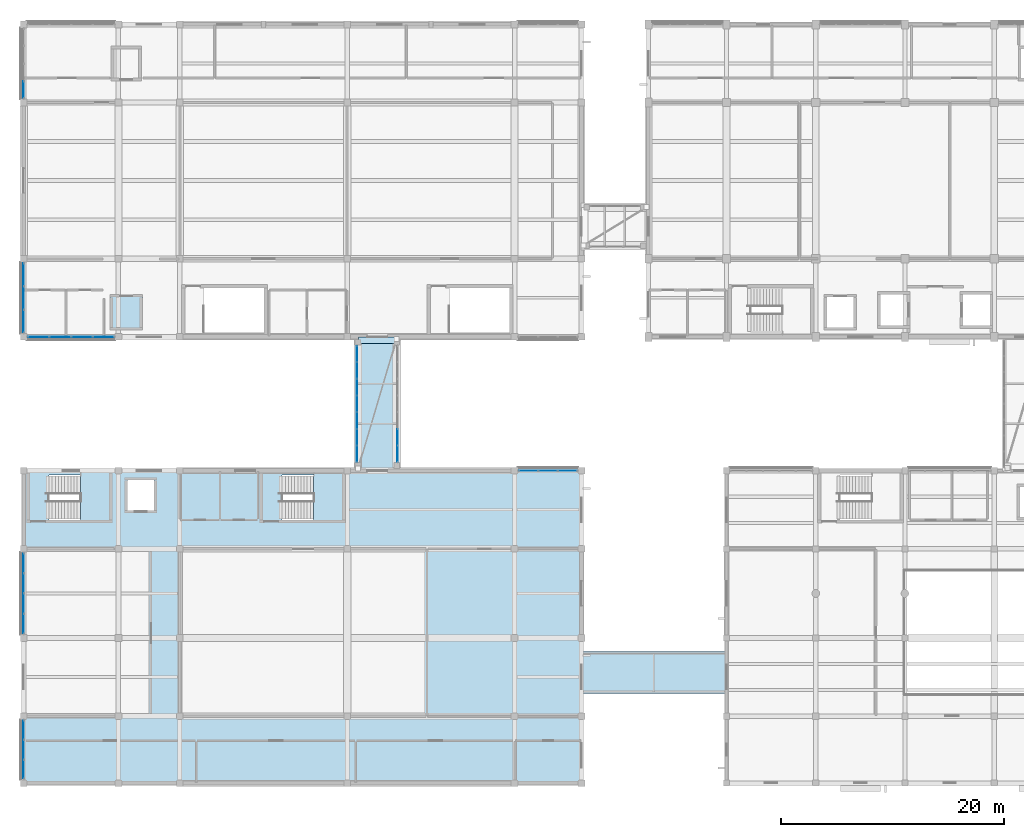
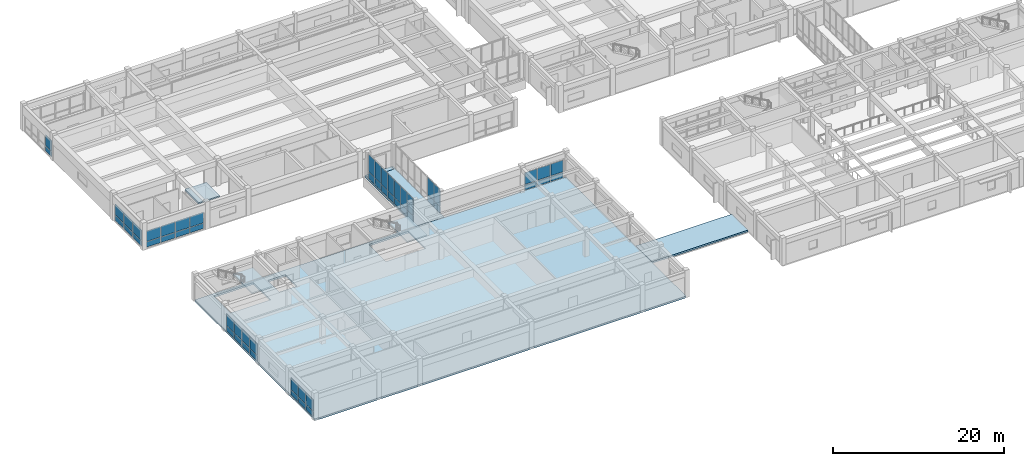
# One storey, part 36 of 66: 55 plates, 6 slabs, 10 elements without a shape of their own.
"""IFC4 building model written with IfcOpenShell, lengths in metres."""

from ifc_helpers import new_model, si_unit, direction, frame, origin, origin_2d, place, context, subcontext, project, spatial, polyline, rectangle, outline, extrude, material, layer, layer_set, type_object, element, aggregate, save


model = new_model("IFC4")

# Units and contexts
model_context = context("Model", 3, precision=1e-05, world=origin(), true_north=direction((0.0, 1.0)))
body_context = subcontext(model_context, "Body", "Model", "MODEL_VIEW")
ifc_project = project(units=[si_unit("LENGTHUNIT", "METRE"), si_unit("AREAUNIT", "SQUARE_METRE"), si_unit("VOLUMEUNIT", "CUBIC_METRE"), si_unit("PLANEANGLEUNIT", "RADIAN"), si_unit("MASSUNIT", "GRAM", prefix="KILO")], contexts=[model_context])

# Site, building, storey
site_placement = place(None, origin())
site = spatial("IfcSite", under=ifc_project, at=site_placement, CompositionType="ELEMENT")
building_placement = place(site_placement, origin())
building = spatial("IfcBuilding", under=site, at=building_placement, Name="Naurynzar Civic Courthouse", CompositionType="ELEMENT")
storey_placement = place(building_placement, frame((0.0, 0.0, 14.39990234375)))
storey = spatial("IfcBuildingStorey", under=building, at=storey_placement, Name="L04", CompositionType="ELEMENT", Elevation=14.39990234375)

# Curtain wall, plates
ifc_material_1 = material(Name="Aluminium 6063-T6", Category="aluminium")
ifc_layer_1 = layer(ifc_material_1, 0.14990234375)
ifc_layer_set_1 = layer_set([ifc_layer_1], Name="CW-BRIDGE-1500")
curtain_wall_type_1 = type_object("IfcCurtainWallType", Name="CW-BRIDGE-1500", PredefinedType="USERDEFINED", material=ifc_layer_set_1)
curtain_wall_1_placement = place(storey_placement, origin())
curtain_wall_1 = element("IfcCurtainWall", 1, at=curtain_wall_1_placement, inside=storey, type_object=curtain_wall_type_1, Name="BR-W1 glazed bridge screen L04.1", ObjectType="GLAZED BRIDGE SCREEN", PredefinedType="USERDEFINED")
ifc_material_2 = material(Name="Tempered Laminated Low-E Glass", Category="glass")
ifc_layer_2 = layer(ifc_material_2, 0.031982421875)
ifc_layer_set_2 = layer_set([ifc_layer_2], Name="CWP-IGU-32")
plate_type_1 = type_object("IfcPlateType", Name="CWP-IGU-32", PredefinedType="CURTAIN_PANEL", material=ifc_layer_set_2)
plate_1_placement = place(storey_placement, frame((35.8798828125, 42.476318359375, 0.06005859375), z_axis=(0.0, 0.0, 1.0), x_axis=(0.0, -1.0, 0.0)))
plate_1 = element("IfcPlate", 2, at=plate_1_placement, type_object=plate_type_1, Name="CW-03 panel 1.1", PredefinedType="CURTAIN_PANEL", context=body_context, shape_type="SweptSolid", body=[
    extrude(rectangle(XDim=1.4072265625, YDim=0.031982421875, at=origin_2d()), origin(), (0.0, 0.0, 1.0), 0.909912109375),
])
plate_2_placement = place(storey_placement, frame((35.8798828125, 42.476318359375, 1.0302734375), z_axis=(0.0, 0.0, 1.0), x_axis=(0.0, -1.0, 0.0)))
plate_2 = element("IfcPlate", 3, at=plate_2_placement, type_object=plate_type_1, Name="CW-03 panel 1.2", PredefinedType="CURTAIN_PANEL", context=body_context, shape_type="SweptSolid", body=[
    extrude(rectangle(XDim=1.4072265625, YDim=0.031982421875, at=origin_2d()), origin(), (0.0, 0.0, 1.0), 2.429931640625),
])
plate_3_placement = place(storey_placement, frame((35.8798828125, 40.994384765625, 0.06005859375), z_axis=(0.0, 0.0, 1.0), x_axis=(0.0, -1.0, 0.0)))
plate_3 = element("IfcPlate", 4, at=plate_3_placement, type_object=plate_type_1, Name="CW-03 panel 2.1", PredefinedType="CURTAIN_PANEL", context=body_context, shape_type="SweptSolid", body=[
    extrude(rectangle(XDim=1.437255859375, YDim=0.031982421875, at=origin_2d()), origin(), (0.0, 0.0, 1.0), 0.909912109375),
])
plate_4_placement = place(storey_placement, frame((35.8798828125, 40.994384765625, 1.0302734375), z_axis=(0.0, 0.0, 1.0), x_axis=(0.0, -1.0, 0.0)))
plate_4 = element("IfcPlate", 5, at=plate_4_placement, type_object=plate_type_1, Name="CW-03 panel 2.2", PredefinedType="CURTAIN_PANEL", context=body_context, shape_type="SweptSolid", body=[
    extrude(rectangle(XDim=1.437255859375, YDim=0.031982421875, at=origin_2d()), origin(), (0.0, 0.0, 1.0), 2.429931640625),
])
plate_5_placement = place(storey_placement, frame((35.8798828125, 39.4970703125, 0.06005859375), z_axis=(0.0, 0.0, 1.0), x_axis=(0.0, -1.0, 0.0)))
plate_5 = element("IfcPlate", 6, at=plate_5_placement, type_object=plate_type_1, Name="CW-03 panel 3.1", PredefinedType="CURTAIN_PANEL", context=body_context, shape_type="SweptSolid", body=[
    extrude(rectangle(XDim=1.437255859375, YDim=0.031982421875, at=origin_2d()), origin(), (0.0, 0.0, 1.0), 0.909912109375),
])
plate_6_placement = place(storey_placement, frame((35.8798828125, 39.4970703125, 1.0302734375), z_axis=(0.0, 0.0, 1.0), x_axis=(0.0, -1.0, 0.0)))
plate_6 = element("IfcPlate", 7, at=plate_6_placement, type_object=plate_type_1, Name="CW-03 panel 3.2", PredefinedType="CURTAIN_PANEL", context=body_context, shape_type="SweptSolid", body=[
    extrude(rectangle(XDim=1.437255859375, YDim=0.031982421875, at=origin_2d()), origin(), (0.0, 0.0, 1.0), 2.429931640625),
])
plate_7_placement = place(storey_placement, frame((35.8798828125, 38.0, 0.06005859375), z_axis=(0.0, 0.0, 1.0), x_axis=(0.0, -1.0, 0.0)))
plate_7 = element("IfcPlate", 8, at=plate_7_placement, type_object=plate_type_1, Name="CW-03 panel 4.1", PredefinedType="CURTAIN_PANEL", context=body_context, shape_type="SweptSolid", body=[
    extrude(rectangle(XDim=1.437255859375, YDim=0.031982421875, at=origin_2d()), origin(), (0.0, 0.0, 1.0), 0.909912109375),
])
plate_8_placement = place(storey_placement, frame((35.8798828125, 38.0, 1.0302734375), z_axis=(0.0, 0.0, 1.0), x_axis=(0.0, -1.0, 0.0)))
plate_8 = element("IfcPlate", 9, at=plate_8_placement, type_object=plate_type_1, Name="CW-03 panel 4.2", PredefinedType="CURTAIN_PANEL", context=body_context, shape_type="SweptSolid", body=[
    extrude(rectangle(XDim=1.437255859375, YDim=0.031982421875, at=origin_2d()), origin(), (0.0, 0.0, 1.0), 2.429931640625),
])
plate_9_placement = place(storey_placement, frame((35.8798828125, 36.5029296875, 0.06005859375), z_axis=(0.0, 0.0, 1.0), x_axis=(0.0, -1.0, 0.0)))
plate_9 = element("IfcPlate", 10, at=plate_9_placement, type_object=plate_type_1, Name="CW-03 panel 5.1", PredefinedType="CURTAIN_PANEL", context=body_context, shape_type="SweptSolid", body=[
    extrude(rectangle(XDim=1.437255859375, YDim=0.031982421875, at=origin_2d()), origin(), (0.0, 0.0, 1.0), 0.909912109375),
])
plate_10_placement = place(storey_placement, frame((35.8798828125, 36.5029296875, 1.0302734375), z_axis=(0.0, 0.0, 1.0), x_axis=(0.0, -1.0, 0.0)))
plate_10 = element("IfcPlate", 11, at=plate_10_placement, type_object=plate_type_1, Name="CW-03 panel 5.2", PredefinedType="CURTAIN_PANEL", context=body_context, shape_type="SweptSolid", body=[
    extrude(rectangle(XDim=1.437255859375, YDim=0.031982421875, at=origin_2d()), origin(), (0.0, 0.0, 1.0), 2.429931640625),
])
plate_11_placement = place(storey_placement, frame((35.8798828125, 35.005615234375, 0.06005859375), z_axis=(0.0, 0.0, 1.0), x_axis=(0.0, -1.0, 0.0)))
plate_11 = element("IfcPlate", 12, at=plate_11_placement, type_object=plate_type_1, Name="CW-03 panel 6.1", PredefinedType="CURTAIN_PANEL", context=body_context, shape_type="SweptSolid", body=[
    extrude(rectangle(XDim=1.437255859375, YDim=0.031982421875, at=origin_2d()), origin(), (0.0, 0.0, 1.0), 0.909912109375),
])
plate_12_placement = place(storey_placement, frame((35.8798828125, 35.005615234375, 1.0302734375), z_axis=(0.0, 0.0, 1.0), x_axis=(0.0, -1.0, 0.0)))
plate_12 = element("IfcPlate", 13, at=plate_12_placement, type_object=plate_type_1, Name="CW-03 panel 6.2", PredefinedType="CURTAIN_PANEL", context=body_context, shape_type="SweptSolid", body=[
    extrude(rectangle(XDim=1.437255859375, YDim=0.031982421875, at=origin_2d()), origin(), (0.0, 0.0, 1.0), 2.429931640625),
])
plate_13_placement = place(storey_placement, frame((35.8798828125, 33.523681640625, 0.06005859375), z_axis=(0.0, 0.0, 1.0), x_axis=(0.0, -1.0, 0.0)))
plate_13 = element("IfcPlate", 14, at=plate_13_placement, type_object=plate_type_1, Name="CW-03 panel 7.1", PredefinedType="CURTAIN_PANEL", context=body_context, shape_type="SweptSolid", body=[
    extrude(rectangle(XDim=1.4072265625, YDim=0.031982421875, at=origin_2d()), origin(), (0.0, 0.0, 1.0), 0.909912109375),
])
plate_14_placement = place(storey_placement, frame((35.8798828125, 33.523681640625, 1.0302734375), z_axis=(0.0, 0.0, 1.0), x_axis=(0.0, -1.0, 0.0)))
plate_14 = element("IfcPlate", 15, at=plate_14_placement, type_object=plate_type_1, Name="CW-03 panel 7.2", PredefinedType="CURTAIN_PANEL", context=body_context, shape_type="SweptSolid", body=[
    extrude(rectangle(XDim=1.4072265625, YDim=0.031982421875, at=origin_2d()), origin(), (0.0, 0.0, 1.0), 2.429931640625),
])
aggregate(curtain_wall_1, [plate_1, plate_2, plate_3, plate_4, plate_5, plate_6, plate_7, plate_8, plate_9, plate_10, plate_11, plate_12, plate_13, plate_14])

curtain_wall_2_placement = place(storey_placement, origin())
curtain_wall_2 = element("IfcCurtainWall", 16, at=curtain_wall_2_placement, inside=storey, type_object=curtain_wall_type_1, Name="BR-W1 glazed bridge screen L04.2", ObjectType="GLAZED BRIDGE SCREEN", PredefinedType="USERDEFINED")
plate_15_placement = place(storey_placement, frame((39.52001953125, 33.523681640625, 0.06005859375), z_axis=(0.0, 0.0, 1.0), x_axis=(0.0, 1.0, 0.0)))
plate_15 = element("IfcPlate", 17, at=plate_15_placement, type_object=plate_type_1, Name="CW-03 panel 1.1", PredefinedType="CURTAIN_PANEL", context=body_context, shape_type="SweptSolid", body=[
    extrude(rectangle(XDim=1.4072265625, YDim=0.031982421875, at=origin_2d()), origin(), (0.0, 0.0, 1.0), 0.909912109375),
])
plate_16_placement = place(storey_placement, frame((39.52001953125, 33.523681640625, 1.0302734375), z_axis=(0.0, 0.0, 1.0), x_axis=(0.0, 1.0, 0.0)))
plate_16 = element("IfcPlate", 18, at=plate_16_placement, type_object=plate_type_1, Name="CW-03 panel 1.2", PredefinedType="CURTAIN_PANEL", context=body_context, shape_type="SweptSolid", body=[
    extrude(rectangle(XDim=1.4072265625, YDim=0.031982421875, at=origin_2d()), origin(), (0.0, 0.0, 1.0), 2.429931640625),
])
plate_17_placement = place(storey_placement, frame((39.52001953125, 35.005615234375, 0.06005859375), z_axis=(0.0, 0.0, 1.0), x_axis=(0.0, 1.0, 0.0)))
plate_17 = element("IfcPlate", 19, at=plate_17_placement, type_object=plate_type_1, Name="CW-03 panel 2.1", PredefinedType="CURTAIN_PANEL", context=body_context, shape_type="SweptSolid", body=[
    extrude(rectangle(XDim=1.437255859375, YDim=0.031982421875, at=origin_2d()), origin(), (0.0, 0.0, 1.0), 0.909912109375),
])
plate_18_placement = place(storey_placement, frame((39.52001953125, 35.005615234375, 1.0302734375), z_axis=(0.0, 0.0, 1.0), x_axis=(0.0, 1.0, 0.0)))
plate_18 = element("IfcPlate", 20, at=plate_18_placement, type_object=plate_type_1, Name="CW-03 panel 2.2", PredefinedType="CURTAIN_PANEL", context=body_context, shape_type="SweptSolid", body=[
    extrude(rectangle(XDim=1.437255859375, YDim=0.031982421875, at=origin_2d()), origin(), (0.0, 0.0, 1.0), 2.429931640625),
])
aggregate(curtain_wall_2, [plate_15, plate_16, plate_17, plate_18])

ifc_material_3 = material(Name="Aluminium 6063-T6", Category="aluminium")
ifc_layer_3 = layer(ifc_material_3, 0.159912109375)
ifc_layer_set_3 = layer_set([ifc_layer_3], Name="CW-UNIT-1800")
curtain_wall_type_2 = type_object("IfcCurtainWallType", Name="CW-UNIT-1800", PredefinedType="NOTDEFINED", material=ifc_layer_set_3)
curtain_wall_3_placement = place(storey_placement, origin())
curtain_wall_3 = element("IfcCurtainWall", 21, at=curtain_wall_3_placement, inside=storey, type_object=curtain_wall_type_2, Name="V1 unitised curtain wall 13 L04", PredefinedType="NOTDEFINED")
ifc_material_4 = material(Name="Tempered Laminated Low-E Glass", Category="glass")
ifc_layer_4 = layer(ifc_material_4, 0.035888671875)
ifc_layer_set_4 = layer_set([ifc_layer_4], Name="CWP-IGU-36")
plate_type_2 = type_object("IfcPlateType", Name="CWP-IGU-36", PredefinedType="CURTAIN_PANEL", material=ifc_layer_set_4)
plate_19_placement = place(storey_placement, frame((6.0, 45.41748046875, 0.070068359375), z_axis=(0.0, 0.0, 1.0), x_axis=(0.0, 1.0, 0.0)))
plate_19 = element("IfcPlate", 22, at=plate_19_placement, type_object=plate_type_2, Name="CW-02 panel 1.1", PredefinedType="CURTAIN_PANEL", context=body_context, shape_type="SweptSolid", body=[
    extrude(rectangle(XDim=1.9951171875, YDim=0.035888671875, at=origin_2d()), origin(), (0.0, 0.0, 1.0), 0.7451171875),
])
plate_20_placement = place(storey_placement, frame((6.0, 45.41748046875, 0.88525390625), z_axis=(0.0, 0.0, 1.0), x_axis=(0.0, 1.0, 0.0)))
plate_20 = element("IfcPlate", 23, at=plate_20_placement, type_object=plate_type_2, Name="CW-02 panel 1.2", PredefinedType="CURTAIN_PANEL", context=body_context, shape_type="SweptSolid", body=[
    extrude(rectangle(XDim=1.9951171875, YDim=0.035888671875, at=origin_2d()), origin(), (0.0, 0.0, 1.0), 1.5048828125),
])
plate_21_placement = place(storey_placement, frame((6.0, 47.5, 0.070068359375), z_axis=(0.0, 0.0, 1.0), x_axis=(0.0, 1.0, 0.0)))
plate_21 = element("IfcPlate", 24, at=plate_21_placement, type_object=plate_type_2, Name="CW-02 panel 2.1", PredefinedType="CURTAIN_PANEL", context=body_context, shape_type="SweptSolid", body=[
    extrude(rectangle(XDim=2.030029296875, YDim=0.035888671875, at=origin_2d()), origin(), (0.0, 0.0, 1.0), 0.7451171875),
])
plate_22_placement = place(storey_placement, frame((6.0, 47.5, 0.88525390625), z_axis=(0.0, 0.0, 1.0), x_axis=(0.0, 1.0, 0.0)))
plate_22 = element("IfcPlate", 25, at=plate_22_placement, type_object=plate_type_2, Name="CW-02 panel 2.2", PredefinedType="CURTAIN_PANEL", context=body_context, shape_type="SweptSolid", body=[
    extrude(rectangle(XDim=2.030029296875, YDim=0.035888671875, at=origin_2d()), origin(), (0.0, 0.0, 1.0), 1.5048828125),
])
plate_23_placement = place(storey_placement, frame((6.0, 49.58251953125, 0.070068359375), z_axis=(0.0, 0.0, 1.0), x_axis=(0.0, 1.0, 0.0)))
plate_23 = element("IfcPlate", 26, at=plate_23_placement, type_object=plate_type_2, Name="CW-02 panel 3.1", PredefinedType="CURTAIN_PANEL", context=body_context, shape_type="SweptSolid", body=[
    extrude(rectangle(XDim=1.9951171875, YDim=0.035888671875, at=origin_2d()), origin(), (0.0, 0.0, 1.0), 0.7451171875),
])
plate_24_placement = place(storey_placement, frame((6.0, 49.58251953125, 0.88525390625), z_axis=(0.0, 0.0, 1.0), x_axis=(0.0, 1.0, 0.0)))
plate_24 = element("IfcPlate", 27, at=plate_24_placement, type_object=plate_type_2, Name="CW-02 panel 3.2", PredefinedType="CURTAIN_PANEL", context=body_context, shape_type="SweptSolid", body=[
    extrude(rectangle(XDim=1.9951171875, YDim=0.035888671875, at=origin_2d()), origin(), (0.0, 0.0, 1.0), 1.5048828125),
])
aggregate(curtain_wall_3, [plate_19, plate_20, plate_21, plate_22, plate_23, plate_24])

curtain_wall_4_placement = place(storey_placement, origin())
curtain_wall_4 = element("IfcCurtainWall", 28, at=curtain_wall_4_placement, inside=storey, type_object=curtain_wall_type_2, Name="V1 unitised curtain wall 14 L04", PredefinedType="NOTDEFINED")
plate_25_placement = place(storey_placement, frame((6.0, 66.155029296875, 0.070068359375), z_axis=(0.0, 0.0, 1.0), x_axis=(0.0, 1.0, 0.0)))
plate_25 = element("IfcPlate", 29, at=plate_25_placement, type_object=plate_type_2, Name="CW-02 panel 1.1", PredefinedType="CURTAIN_PANEL", context=body_context, shape_type="SweptSolid", body=[
    extrude(rectangle(XDim=1.469970703125, YDim=0.035888671875, at=origin_2d()), origin(), (0.0, 0.0, 1.0), 0.7451171875),
])
plate_26_placement = place(storey_placement, frame((6.0, 66.155029296875, 0.88525390625), z_axis=(0.0, 0.0, 1.0), x_axis=(0.0, 1.0, 0.0)))
plate_26 = element("IfcPlate", 30, at=plate_26_placement, type_object=plate_type_2, Name="CW-02 panel 1.2", PredefinedType="CURTAIN_PANEL", context=body_context, shape_type="SweptSolid", body=[
    extrude(rectangle(XDim=1.469970703125, YDim=0.035888671875, at=origin_2d()), origin(), (0.0, 0.0, 1.0), 1.5048828125),
])
aggregate(curtain_wall_4, [plate_25, plate_26])

curtain_wall_5_placement = place(storey_placement, origin())
curtain_wall_5 = element("IfcCurtainWall", 31, at=curtain_wall_5_placement, inside=storey, type_object=curtain_wall_type_2, Name="V1 unitised curtain wall 18 L04", PredefinedType="NOTDEFINED")
plate_27_placement = place(storey_placement, frame((13.157470703125, 44.0, 0.070068359375), z_axis=(0.0, 0.0, 1.0), x_axis=(-1.0, 0.0, 0.0)))
plate_27 = element("IfcPlate", 32, at=plate_27_placement, type_object=plate_type_2, Name="CW-02 panel 1.1", PredefinedType="CURTAIN_PANEL", context=body_context, shape_type="SweptSolid", body=[
    extrude(rectangle(XDim=1.844970703125, YDim=0.035888671875, at=origin_2d()), origin(), (0.0, 0.0, 1.0), 0.7451171875),
])
plate_28_placement = place(storey_placement, frame((13.157470703125, 44.0, 0.88525390625), z_axis=(0.0, 0.0, 1.0), x_axis=(-1.0, 0.0, 0.0)))
plate_28 = element("IfcPlate", 33, at=plate_28_placement, type_object=plate_type_2, Name="CW-02 panel 1.2", PredefinedType="CURTAIN_PANEL", context=body_context, shape_type="SweptSolid", body=[
    extrude(rectangle(XDim=1.844970703125, YDim=0.035888671875, at=origin_2d()), origin(), (0.0, 0.0, 1.0), 1.5048828125),
])
plate_29_placement = place(storey_placement, frame((11.22509765625, 44.0, 0.070068359375), z_axis=(0.0, 0.0, 1.0), x_axis=(-1.0, 0.0, 0.0)))
plate_29 = element("IfcPlate", 34, at=plate_29_placement, type_object=plate_type_2, Name="CW-02 panel 2.1", PredefinedType="CURTAIN_PANEL", context=body_context, shape_type="SweptSolid", body=[
    extrude(rectangle(XDim=1.8798828125, YDim=0.035888671875, at=origin_2d()), origin(), (0.0, 0.0, 1.0), 0.7451171875),
])
plate_30_placement = place(storey_placement, frame((11.22509765625, 44.0, 0.88525390625), z_axis=(0.0, 0.0, 1.0), x_axis=(-1.0, 0.0, 0.0)))
plate_30 = element("IfcPlate", 35, at=plate_30_placement, type_object=plate_type_2, Name="CW-02 panel 2.2", PredefinedType="CURTAIN_PANEL", context=body_context, shape_type="SweptSolid", body=[
    extrude(rectangle(XDim=1.8798828125, YDim=0.035888671875, at=origin_2d()), origin(), (0.0, 0.0, 1.0), 1.5048828125),
])
plate_31_placement = place(storey_placement, frame((9.27490234375, 44.0, 0.070068359375), z_axis=(0.0, 0.0, 1.0), x_axis=(-1.0, 0.0, 0.0)))
plate_31 = element("IfcPlate", 36, at=plate_31_placement, type_object=plate_type_2, Name="CW-02 panel 3.1", PredefinedType="CURTAIN_PANEL", context=body_context, shape_type="SweptSolid", body=[
    extrude(rectangle(XDim=1.8798828125, YDim=0.035888671875, at=origin_2d()), origin(), (0.0, 0.0, 1.0), 0.7451171875),
])
plate_32_placement = place(storey_placement, frame((9.27490234375, 44.0, 0.88525390625), z_axis=(0.0, 0.0, 1.0), x_axis=(-1.0, 0.0, 0.0)))
plate_32 = element("IfcPlate", 37, at=plate_32_placement, type_object=plate_type_2, Name="CW-02 panel 3.2", PredefinedType="CURTAIN_PANEL", context=body_context, shape_type="SweptSolid", body=[
    extrude(rectangle(XDim=1.8798828125, YDim=0.035888671875, at=origin_2d()), origin(), (0.0, 0.0, 1.0), 1.5048828125),
])
plate_33_placement = place(storey_placement, frame((7.342529296875, 44.0, 0.070068359375), z_axis=(0.0, 0.0, 1.0), x_axis=(-1.0, 0.0, 0.0)))
plate_33 = element("IfcPlate", 38, at=plate_33_placement, type_object=plate_type_2, Name="CW-02 panel 4.1", PredefinedType="CURTAIN_PANEL", context=body_context, shape_type="SweptSolid", body=[
    extrude(rectangle(XDim=1.844970703125, YDim=0.035888671875, at=origin_2d()), origin(), (0.0, 0.0, 1.0), 0.7451171875),
])
plate_34_placement = place(storey_placement, frame((7.342529296875, 44.0, 0.88525390625), z_axis=(0.0, 0.0, 1.0), x_axis=(-1.0, 0.0, 0.0)))
plate_34 = element("IfcPlate", 39, at=plate_34_placement, type_object=plate_type_2, Name="CW-02 panel 4.2", PredefinedType="CURTAIN_PANEL", context=body_context, shape_type="SweptSolid", body=[
    extrude(rectangle(XDim=1.844970703125, YDim=0.035888671875, at=origin_2d()), origin(), (0.0, 0.0, 1.0), 1.5048828125),
])
aggregate(curtain_wall_5, [plate_27, plate_28, plate_29, plate_30, plate_31, plate_32, plate_33, plate_34])

curtain_wall_6_placement = place(storey_placement, origin())
curtain_wall_6 = element("IfcCurtainWall", 40, at=curtain_wall_6_placement, inside=storey, type_object=curtain_wall_type_2, Name="V4 unitised curtain wall 80 L04", PredefinedType="NOTDEFINED")
plate_35_placement = place(storey_placement, frame((6.0, 5.250732421875, 0.070068359375), z_axis=(0.0, 0.0, 1.0), x_axis=(0.0, 1.0, 0.0)))
plate_35 = element("IfcPlate", 41, at=plate_35_placement, type_object=plate_type_2, Name="CW-02 panel 1.1", PredefinedType="CURTAIN_PANEL", context=body_context, shape_type="SweptSolid", body=[
    extrude(rectangle(XDim=1.66162109375, YDim=0.035888671875, at=origin_2d()), origin(), (0.0, 0.0, 1.0), 0.7451171875),
])
plate_36_placement = place(storey_placement, frame((6.0, 5.250732421875, 0.88525390625), z_axis=(0.0, 0.0, 1.0), x_axis=(0.0, 1.0, 0.0)))
plate_36 = element("IfcPlate", 42, at=plate_36_placement, type_object=plate_type_2, Name="CW-02 panel 1.2", PredefinedType="CURTAIN_PANEL", context=body_context, shape_type="SweptSolid", body=[
    extrude(rectangle(XDim=1.66162109375, YDim=0.035888671875, at=origin_2d()), origin(), (0.0, 0.0, 1.0), 1.655029296875),
])
plate_37_placement = place(storey_placement, frame((6.0, 7.0, 0.070068359375), z_axis=(0.0, 0.0, 1.0), x_axis=(0.0, 1.0, 0.0)))
plate_37 = element("IfcPlate", 43, at=plate_37_placement, type_object=plate_type_2, Name="CW-02 panel 2.1", PredefinedType="CURTAIN_PANEL", context=body_context, shape_type="SweptSolid", body=[
    extrude(rectangle(XDim=1.69677734375, YDim=0.035888671875, at=origin_2d()), origin(), (0.0, 0.0, 1.0), 0.7451171875),
])
plate_38_placement = place(storey_placement, frame((6.0, 7.0, 0.88525390625), z_axis=(0.0, 0.0, 1.0), x_axis=(0.0, 1.0, 0.0)))
plate_38 = element("IfcPlate", 44, at=plate_38_placement, type_object=plate_type_2, Name="CW-02 panel 2.2", PredefinedType="CURTAIN_PANEL", context=body_context, shape_type="SweptSolid", body=[
    extrude(rectangle(XDim=1.69677734375, YDim=0.035888671875, at=origin_2d()), origin(), (0.0, 0.0, 1.0), 1.655029296875),
])
plate_39_placement = place(storey_placement, frame((6.0, 8.749267578125, 0.070068359375), z_axis=(0.0, 0.0, 1.0), x_axis=(0.0, 1.0, 0.0)))
plate_39 = element("IfcPlate", 45, at=plate_39_placement, type_object=plate_type_2, Name="CW-02 panel 3.1", PredefinedType="CURTAIN_PANEL", context=body_context, shape_type="SweptSolid", body=[
    extrude(rectangle(XDim=1.66162109375, YDim=0.035888671875, at=origin_2d()), origin(), (0.0, 0.0, 1.0), 0.7451171875),
])
plate_40_placement = place(storey_placement, frame((6.0, 8.749267578125, 0.88525390625), z_axis=(0.0, 0.0, 1.0), x_axis=(0.0, 1.0, 0.0)))
plate_40 = element("IfcPlate", 46, at=plate_40_placement, type_object=plate_type_2, Name="CW-02 panel 3.2", PredefinedType="CURTAIN_PANEL", context=body_context, shape_type="SweptSolid", body=[
    extrude(rectangle(XDim=1.66162109375, YDim=0.035888671875, at=origin_2d()), origin(), (0.0, 0.0, 1.0), 1.655029296875),
])
aggregate(curtain_wall_6, [plate_35, plate_36, plate_37, plate_38, plate_39, plate_40])

curtain_wall_7_placement = place(storey_placement, origin())
curtain_wall_7 = element("IfcCurtainWall", 47, at=curtain_wall_7_placement, inside=storey, type_object=curtain_wall_type_2, Name="V4 unitised curtain wall 81 L04", PredefinedType="NOTDEFINED")
plate_41_placement = place(storey_placement, frame((6.0, 18.280029296875, 0.070068359375), z_axis=(0.0, 0.0, 1.0), x_axis=(0.0, 1.0, 0.0)))
plate_41 = element("IfcPlate", 48, at=plate_41_placement, type_object=plate_type_2, Name="CW-02 panel 1.1", PredefinedType="CURTAIN_PANEL", context=body_context, shape_type="SweptSolid", body=[
    extrude(rectangle(XDim=1.719970703125, YDim=0.035888671875, at=origin_2d()), origin(), (0.0, 0.0, 1.0), 0.7451171875),
])
plate_42_placement = place(storey_placement, frame((6.0, 18.280029296875, 0.88525390625), z_axis=(0.0, 0.0, 1.0), x_axis=(0.0, 1.0, 0.0)))
plate_42 = element("IfcPlate", 49, at=plate_42_placement, type_object=plate_type_2, Name="CW-02 panel 1.2", PredefinedType="CURTAIN_PANEL", context=body_context, shape_type="SweptSolid", body=[
    extrude(rectangle(XDim=1.719970703125, YDim=0.035888671875, at=origin_2d()), origin(), (0.0, 0.0, 1.0), 1.655029296875),
])
plate_43_placement = place(storey_placement, frame((6.0, 20.08740234375, 0.070068359375), z_axis=(0.0, 0.0, 1.0), x_axis=(0.0, 1.0, 0.0)))
plate_43 = element("IfcPlate", 50, at=plate_43_placement, type_object=plate_type_2, Name="CW-02 panel 2.1", PredefinedType="CURTAIN_PANEL", context=body_context, shape_type="SweptSolid", body=[
    extrude(rectangle(XDim=1.7548828125, YDim=0.035888671875, at=origin_2d()), origin(), (0.0, 0.0, 1.0), 0.7451171875),
])
plate_44_placement = place(storey_placement, frame((6.0, 20.08740234375, 0.88525390625), z_axis=(0.0, 0.0, 1.0), x_axis=(0.0, 1.0, 0.0)))
plate_44 = element("IfcPlate", 51, at=plate_44_placement, type_object=plate_type_2, Name="CW-02 panel 2.2", PredefinedType="CURTAIN_PANEL", context=body_context, shape_type="SweptSolid", body=[
    extrude(rectangle(XDim=1.7548828125, YDim=0.035888671875, at=origin_2d()), origin(), (0.0, 0.0, 1.0), 1.655029296875),
])
plate_45_placement = place(storey_placement, frame((6.0, 21.91259765625, 0.070068359375), z_axis=(0.0, 0.0, 1.0), x_axis=(0.0, 1.0, 0.0)))
plate_45 = element("IfcPlate", 52, at=plate_45_placement, type_object=plate_type_2, Name="CW-02 panel 3.1", PredefinedType="CURTAIN_PANEL", context=body_context, shape_type="SweptSolid", body=[
    extrude(rectangle(XDim=1.7548828125, YDim=0.035888671875, at=origin_2d()), origin(), (0.0, 0.0, 1.0), 0.7451171875),
])
plate_46_placement = place(storey_placement, frame((6.0, 21.91259765625, 0.88525390625), z_axis=(0.0, 0.0, 1.0), x_axis=(0.0, 1.0, 0.0)))
plate_46 = element("IfcPlate", 53, at=plate_46_placement, type_object=plate_type_2, Name="CW-02 panel 3.2", PredefinedType="CURTAIN_PANEL", context=body_context, shape_type="SweptSolid", body=[
    extrude(rectangle(XDim=1.7548828125, YDim=0.035888671875, at=origin_2d()), origin(), (0.0, 0.0, 1.0), 1.655029296875),
])
plate_47_placement = place(storey_placement, frame((6.0, 23.719970703125, 0.070068359375), z_axis=(0.0, 0.0, 1.0), x_axis=(0.0, 1.0, 0.0)))
plate_47 = element("IfcPlate", 54, at=plate_47_placement, type_object=plate_type_2, Name="CW-02 panel 4.1", PredefinedType="CURTAIN_PANEL", context=body_context, shape_type="SweptSolid", body=[
    extrude(rectangle(XDim=1.719970703125, YDim=0.035888671875, at=origin_2d()), origin(), (0.0, 0.0, 1.0), 0.7451171875),
])
plate_48_placement = place(storey_placement, frame((6.0, 23.719970703125, 0.88525390625), z_axis=(0.0, 0.0, 1.0), x_axis=(0.0, 1.0, 0.0)))
plate_48 = element("IfcPlate", 55, at=plate_48_placement, type_object=plate_type_2, Name="CW-02 panel 4.2", PredefinedType="CURTAIN_PANEL", context=body_context, shape_type="SweptSolid", body=[
    extrude(rectangle(XDim=1.719970703125, YDim=0.035888671875, at=origin_2d()), origin(), (0.0, 0.0, 1.0), 1.655029296875),
])
aggregate(curtain_wall_7, [plate_41, plate_42, plate_43, plate_44, plate_45, plate_46, plate_47, plate_48])

curtain_wall_8_placement = place(storey_placement, origin())
curtain_wall_8 = element("IfcCurtainWall", 56, at=curtain_wall_8_placement, inside=storey, type_object=curtain_wall_type_2, Name="V4 unitised curtain wall 82 L04", PredefinedType="NOTDEFINED")
plate_49_placement = place(storey_placement, frame((51.250732421875, 32.0, 0.070068359375), z_axis=(0.0, 0.0, 1.0), x_axis=(1.0, 0.0, 0.0)))
plate_49 = element("IfcPlate", 57, at=plate_49_placement, type_object=plate_type_2, Name="CW-02 panel 1.1", PredefinedType="CURTAIN_PANEL", context=body_context, shape_type="SweptSolid", body=[
    extrude(rectangle(XDim=1.66162109375, YDim=0.035888671875, at=origin_2d()), origin(), (0.0, 0.0, 1.0), 0.7451171875),
])
plate_50_placement = place(storey_placement, frame((51.250732421875, 32.0, 0.88525390625), z_axis=(0.0, 0.0, 1.0), x_axis=(1.0, 0.0, 0.0)))
plate_50 = element("IfcPlate", 58, at=plate_50_placement, type_object=plate_type_2, Name="CW-02 panel 1.2", PredefinedType="CURTAIN_PANEL", context=body_context, shape_type="SweptSolid", body=[
    extrude(rectangle(XDim=1.66162109375, YDim=0.035888671875, at=origin_2d()), origin(), (0.0, 0.0, 1.0), 1.655029296875),
])
plate_51_placement = place(storey_placement, frame((53.0, 32.0, 0.070068359375), z_axis=(0.0, 0.0, 1.0), x_axis=(1.0, 0.0, 0.0)))
plate_51 = element("IfcPlate", 59, at=plate_51_placement, type_object=plate_type_2, Name="CW-02 panel 2.1", PredefinedType="CURTAIN_PANEL", context=body_context, shape_type="SweptSolid", body=[
    extrude(rectangle(XDim=1.69677734375, YDim=0.035888671875, at=origin_2d()), origin(), (0.0, 0.0, 1.0), 0.7451171875),
])
plate_52_placement = place(storey_placement, frame((53.0, 32.0, 0.88525390625), z_axis=(0.0, 0.0, 1.0), x_axis=(1.0, 0.0, 0.0)))
plate_52 = element("IfcPlate", 60, at=plate_52_placement, type_object=plate_type_2, Name="CW-02 panel 2.2", PredefinedType="CURTAIN_PANEL", context=body_context, shape_type="SweptSolid", body=[
    extrude(rectangle(XDim=1.69677734375, YDim=0.035888671875, at=origin_2d()), origin(), (0.0, 0.0, 1.0), 1.655029296875),
])
plate_53_placement = place(storey_placement, frame((54.749267578125, 32.0, 0.070068359375), z_axis=(0.0, 0.0, 1.0), x_axis=(1.0, 0.0, 0.0)))
plate_53 = element("IfcPlate", 61, at=plate_53_placement, type_object=plate_type_2, Name="CW-02 panel 3.1", PredefinedType="CURTAIN_PANEL", context=body_context, shape_type="SweptSolid", body=[
    extrude(rectangle(XDim=1.66162109375, YDim=0.035888671875, at=origin_2d()), origin(), (0.0, 0.0, 1.0), 0.7451171875),
])
plate_54_placement = place(storey_placement, frame((54.749267578125, 32.0, 0.88525390625), z_axis=(0.0, 0.0, 1.0), x_axis=(1.0, 0.0, 0.0)))
plate_54 = element("IfcPlate", 62, at=plate_54_placement, type_object=plate_type_2, Name="CW-02 panel 3.2", PredefinedType="CURTAIN_PANEL", context=body_context, shape_type="SweptSolid", body=[
    extrude(rectangle(XDim=1.66162109375, YDim=0.035888671875, at=origin_2d()), origin(), (0.0, 0.0, 1.0), 1.655029296875),
])
aggregate(curtain_wall_8, [plate_49, plate_50, plate_51, plate_52, plate_53, plate_54])

# Plate
ifc_material_5 = material(Name="Brushed Stainless Steel 304", Category="steel")
ifc_layer_5 = layer(ifc_material_5, 0.011962890625)
ifc_layer_set_5 = layer_set([ifc_layer_5], Name="PLT-SEISMIC-COVER-12")
plate_type_3 = type_object("IfcPlateType", Name="PLT-SEISMIC-COVER-12", PredefinedType="SHEET", material=ifc_layer_set_5)
plate_55_placement = place(storey_placement, frame((37.699951171875, 43.699951171875, 0.0), z_axis=(0.0, 0.0, 1.0), x_axis=(1.0, 0.0, 0.0)))
element("IfcPlate", 63, at=plate_55_placement, inside=storey, type_object=plate_type_3, Name="BR-W1 seismic floor joint cover plate L04", PredefinedType="SHEET", context=body_context, shape_type="SweptSolid", body=[
    extrude(rectangle(XDim=3.39990234375, YDim=0.60009765625, at=origin_2d()), origin(), (0.0, 0.0, 1.0), 0.011962890625),
])

# Slabs
ifc_material_6 = material(Name="Concrete C40/50", Category="concrete")
ifc_layer_6 = layer(ifc_material_6, 0.22998046875)
ifc_layer_set_6 = layer_set([ifc_layer_6], Name="ROOF-CRWN-230")
slab_type_1 = type_object("IfcSlabType", Name="ROOF-CRWN-230", PredefinedType="ROOF", material=ifc_layer_set_6)
slab_1_placement = place(storey_placement, frame((0.0, 0.0, -0.22998046875)))
element("IfcSlab", 64, at=slab_1_placement, inside=storey, type_object=slab_type_1, Name="South Registry Seismic Link Passage roof slab", PredefinedType="ROOF", context=body_context, shape_type="SweptSolid", body=[
    extrude(outline(polyline([(56.02001953125, 12.02001953125), (68.97998046875, 12.02001953125), (68.97998046875, 15.780029296875), (56.02001953125, 15.780029296875), (56.02001953125, 12.02001953125)])), origin(), (0.0, 0.0, 1.0), 0.22998046875),
])
slab_2_placement = place(storey_placement, frame((0.0, 0.0, 3.27001953125)))
element("IfcSlab", 65, at=slab_2_placement, inside=storey, type_object=slab_type_1, Name="Lift LP-01 overrun cap slab", PredefinedType="ROOF", context=body_context, shape_type="SweptSolid", body=[
    extrude(outline(polyline([(13.75, 44.60009765625), (16.64990234375, 44.60009765625), (16.64990234375, 47.800048828125), (13.75, 47.800048828125), (13.75, 44.60009765625)])), origin(), (0.0, 0.0, 1.0), 0.18017578125),
])
ifc_material_7 = material(Name="Concrete C35/45", Category="concrete")
ifc_layer_7 = layer(ifc_material_7, 0.239990234375)
ifc_layer_set_7 = layer_set([ifc_layer_7], Name="SLB-BRG-240")
slab_type_2 = type_object("IfcSlabType", Name="SLB-BRG-240", PredefinedType="FLOOR", material=ifc_layer_set_7)
slab_3_placement = place(storey_placement, frame((0.0, 0.0, -0.239990234375)))
element("IfcSlab", 66, at=slab_3_placement, inside=storey, type_object=slab_type_2, Name="West Atrium Seismic Link Passage deck slab L04", PredefinedType="FLOOR", context=body_context, shape_type="SweptSolid", body=[
    extrude(outline(polyline([(35.820068359375, 32.02001953125), (39.580078125, 32.02001953125), (39.580078125, 43.97998046875), (35.820068359375, 43.97998046875), (35.820068359375, 32.02001953125)])), origin(), (0.0, 0.0, 1.0), 0.239990234375),
])
ifc_material_8 = material(Name="Concrete C35/45", Category="concrete")
ifc_layer_8 = layer(ifc_material_8, 0.260009765625)
ifc_layer_set_8 = layer_set([ifc_layer_8], Name="SLB-HALL-260")
slab_type_3 = type_object("IfcSlabType", Name="SLB-HALL-260", PredefinedType="FLOOR", material=ifc_layer_set_8)
slab_4_placement = place(storey_placement, frame((0.0, 0.0, -0.260009765625)))
element("IfcSlab", 67, at=slab_4_placement, inside=storey, type_object=slab_type_3, Name="V4 floor slab L04", PredefinedType="FLOOR", context=body_context, shape_type="SweptSolid", body=[
    extrude(outline(polyline([(56.0, 4.0), (56.0, 32.0), (6.0, 32.0), (6.0, 4.0), (56.0, 4.0)]), holes=[polyline([(8.280029296875, 27.60009765625), (13.64990234375, 27.60009765625), (13.64990234375, 31.60009765625), (8.280029296875, 31.60009765625), (8.280029296875, 27.60009765625)]), polyline([(29.179931640625, 27.60009765625), (34.550048828125, 27.60009765625), (34.550048828125, 31.60009765625), (29.179931640625, 31.60009765625), (29.179931640625, 27.60009765625)]), polyline([(15.300048828125, 28.449951171875), (17.699951171875, 28.449951171875), (17.699951171875, 31.14990234375), (15.300048828125, 31.14990234375), (15.300048828125, 28.449951171875)])]), origin(), (0.0, 0.0, 1.0), 0.260009765625),
])

# Stair, slab
ifc_material_9 = material(Name="Concrete C35/45", Category="concrete")
stair_type = type_object("IfcStairType", Name="STAIR-CORE-1600", PredefinedType="TWO_STRAIGHT_RUN_STAIR", material=ifc_material_9)
stair_1_placement = place(storey_placement, origin())
stair_1 = element("IfcStair", 68, at=stair_1_placement, inside=storey, type_object=stair_type, Name="Enclosed escape stair ST-V4A L04", PredefinedType="TWO_STRAIGHT_RUN_STAIR")
ifc_material_10 = material(Name="Concrete C35/45", Category="concrete")
ifc_layer_9 = layer(ifc_material_10, 0.199951171875)
ifc_layer_set_9 = layer_set([ifc_layer_9], Name="SLB-LAND-200")
slab_type_4 = type_object("IfcSlabType", Name="SLB-LAND-200", PredefinedType="LANDING", material=ifc_layer_set_9)
slab_5_placement = place(storey_placement, frame((0.0, 0.0, 1.75)))
slab_5 = element("IfcSlab", 69, at=slab_5_placement, type_object=slab_type_4, Name="ST-V4A-L04 landing 1", PredefinedType="LANDING", context=body_context, shape_type="SweptSolid", body=[
    extrude(outline(polyline([(11.080078125, 27.47998046875), (13.77001953125, 27.47998046875), (13.77001953125, 31.919921875), (11.080078125, 31.919921875), (11.080078125, 27.47998046875)])), origin(), (0.0, 0.0, 1.0), 0.2001953125),
])
aggregate(stair_1, [slab_5])

stair_2_placement = place(storey_placement, origin())
stair_2 = element("IfcStair", 70, at=stair_2_placement, inside=storey, type_object=stair_type, Name="Enclosed escape stair ST-V4B L04", PredefinedType="TWO_STRAIGHT_RUN_STAIR")
slab_6_placement = place(storey_placement, frame((0.0, 0.0, 1.75)))
slab_6 = element("IfcSlab", 71, at=slab_6_placement, type_object=slab_type_4, Name="ST-V4B-L04 landing 1", PredefinedType="LANDING", context=body_context, shape_type="SweptSolid", body=[
    extrude(outline(polyline([(31.97998046875, 27.47998046875), (34.669921875, 27.47998046875), (34.669921875, 31.919921875), (31.97998046875, 31.919921875), (31.97998046875, 27.47998046875)])), origin(), (0.0, 0.0, 1.0), 0.2001953125),
])
aggregate(stair_2, [slab_6])

save(model, "model.ifc")
